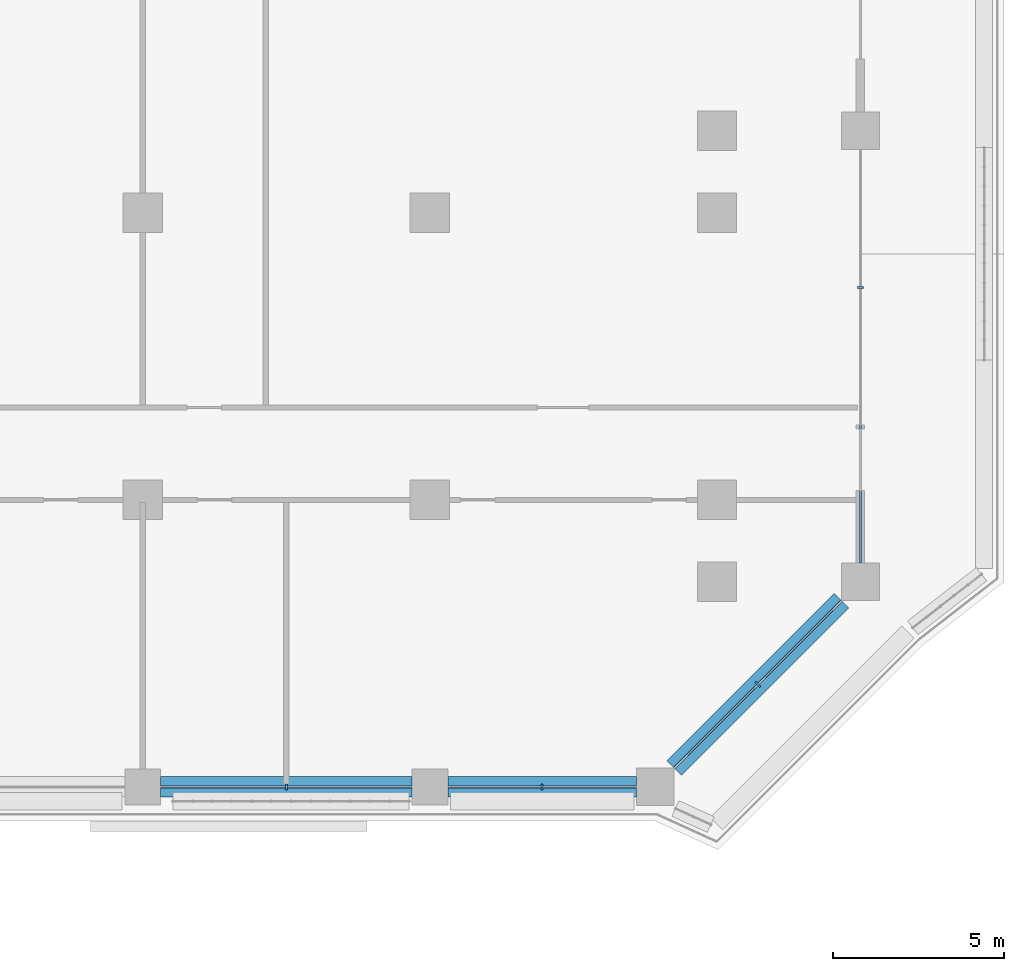
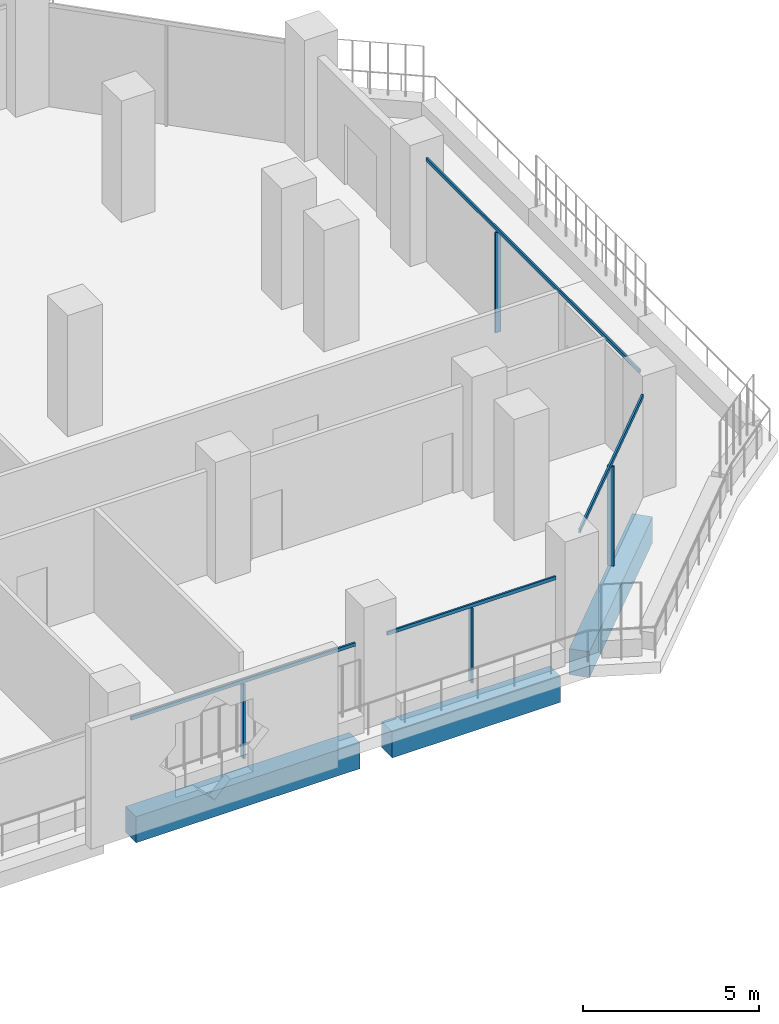
# One storey, part 7 of 29: 8 members, 3 beams, 3 elements without a shape of their own.
"""IFC4 building model written with IfcOpenShell, lengths in metres."""

from ifc_helpers import new_model, si_unit, direction, frame, origin, origin_2d, place, context, subcontext, project, spatial, rectangle, extrude, material, layer, layer_set, material_profile, profile_set, type_object, element, aggregate, save


model = new_model("IFC4")

# Units and contexts
model_context = context("Model", 3, precision=1e-05, world=origin(), true_north=direction((0.0, 1.0)))
body_context = subcontext(model_context, "Body", "Model", "MODEL_VIEW")
ifc_project = project(units=[si_unit("LENGTHUNIT", "METRE"), si_unit("AREAUNIT", "SQUARE_METRE"), si_unit("VOLUMEUNIT", "CUBIC_METRE"), si_unit("PLANEANGLEUNIT", "RADIAN"), si_unit("MASSUNIT", "GRAM", prefix="KILO")], contexts=[model_context])

# Site, building, storey
site_placement = place(None, origin())
site = spatial("IfcSite", under=ifc_project, at=site_placement, CompositionType="ELEMENT")
building_placement = place(site_placement, origin())
building = spatial("IfcBuilding", under=site, at=building_placement, Name="Kawkab Arch Medical Tower", CompositionType="ELEMENT")
storey_placement = place(building_placement, frame((0.0, 0.0, 107.199951171875)))
storey = spatial("IfcBuildingStorey", under=building, at=storey_placement, Name="L24", CompositionType="ELEMENT", Elevation=107.199951171875)

# Curtain wall, members
ifc_material_1 = material(Name="Bronze anodised aluminium curtain wall frame", Category="aluminium")
ifc_layer_1 = layer(ifc_material_1, 0.159912109375)
ifc_layer_set_1 = layer_set([ifc_layer_1], Name="Bronze anodised aluminium curtain wall frame")
curtain_wall_type_1 = type_object("IfcCurtainWallType", Name="CW1 ward curtain wall", PredefinedType="NOTDEFINED", material=ifc_layer_set_1)
placement = place(storey_placement, origin())
curtain_wall_1 = element("IfcCurtainWall", 1, at=placement, inside=storey, type_object=curtain_wall_type_1, Name="CW1 Ward curtain wall R07", PredefinedType="NOTDEFINED")
ifc_material_2 = material(Name="Bronze anodised aluminium curtain wall frame", Category="aluminium")
ifc_material_profile_1 = material_profile(ifc_material_2, rectangle(XDim=0.179931640625, YDim=0.06005859375, at=origin_2d()), Name="AL 60x180")
ifc_profile_set_1 = profile_set([ifc_material_profile_1], Name="Bronze anodised aluminium curtain wall frame")
member_type_1 = type_object("IfcMemberType", Name="CW1 mullion 60 x 180", PredefinedType="MULLION", material=ifc_profile_set_1)
member_1_placement = place(storey_placement, frame((63.0, -25.199951171875, 0.0), z_axis=(0.0, 0.0, 1.0), x_axis=(0.0, 1.0, 0.0)))
member_1 = element("IfcMember", 2, at=member_1_placement, type_object=member_type_1, Name="CW1 mullion 4.1", PredefinedType="MULLION", context=body_context, shape_type="SweptSolid", body=[
    extrude(rectangle(XDim=0.179931640625, YDim=0.06005859375, at=origin_2d()), origin(), (0.0, 0.0, 1.0), 2.580078125),
])
member_2_placement = place(storey_placement, frame((70.487548828125, -25.199951171875, 0.0), z_axis=(0.0, 0.0, 1.0), x_axis=(0.0, 1.0, 0.0)))
member_2 = element("IfcMember", 3, at=member_2_placement, type_object=member_type_1, Name="CW1 mullion 5.1", PredefinedType="MULLION", context=body_context, shape_type="SweptSolid", body=[
    extrude(rectangle(XDim=0.179931640625, YDim=0.06005859375, at=origin_2d()), origin(), (0.0, 0.0, 1.0), 2.580078125),
])

# Curtain wall, member
curtain_wall_2 = element("IfcCurtainWall", 4, at=placement, inside=storey, type_object=curtain_wall_type_1, Name="CW1 Ward curtain wall R09", PredefinedType="NOTDEFINED")
member_3_placement = place(storey_placement, frame((79.800048828125, -10.583251953125, 0.0), z_axis=(0.0, 0.0, 1.0), x_axis=(-1.0, 0.0, 0.0)))
member_3 = element("IfcMember", 5, at=member_3_placement, type_object=member_type_1, Name="CW1 mullion 1.2", PredefinedType="MULLION", context=body_context, shape_type="SweptSolid", body=[
    extrude(rectangle(XDim=0.179931640625, YDim=0.06005859375, at=origin_2d()), origin(), (0.0, 0.0, 1.0), 3.47998046875),
])

# Member
ifc_material_3 = material(Name="Bronze anodised aluminium curtain wall frame", Category="aluminium")
ifc_material_profile_2 = material_profile(ifc_material_3, rectangle(XDim=0.06005859375, YDim=0.1201171875, at=origin_2d()), Name="AL 60x120")
ifc_profile_set_2 = profile_set([ifc_material_profile_2], Name="Bronze anodised aluminium curtain wall frame")
member_type_2 = type_object("IfcMemberType", Name="CW1 transom 120 x 60", PredefinedType="USERDEFINED", material=ifc_profile_set_2)
member_4_placement = place(storey_placement, frame((59.324951171875, -25.199951171875, 2.64013671875), z_axis=(1.0, 0.0, 0.0), x_axis=(0.0, 1.0, 0.0)))
member_4 = element("IfcMember", 6, at=member_4_placement, type_object=member_type_2, Name="CW1 transom 4", ObjectType="TRANSOM", PredefinedType="USERDEFINED", context=body_context, shape_type="SweptSolid", body=[
    extrude(rectangle(XDim=0.06005859375, YDim=0.1201171875, at=origin_2d()), origin(), (0.0, 0.0, 1.0), 7.35009765625),
])

member_5_placement = place(storey_placement, frame((67.72509765625, -25.199951171875, 2.64013671875), z_axis=(1.0, 0.0, 0.0), x_axis=(0.0, 1.0, 0.0)))
member_5 = element("IfcMember", 7, at=member_5_placement, type_object=member_type_2, Name="CW1 transom 5", ObjectType="TRANSOM", PredefinedType="USERDEFINED", context=body_context, shape_type="SweptSolid", body=[
    extrude(rectangle(XDim=0.06005859375, YDim=0.1201171875, at=origin_2d()), origin(), (0.0, 0.0, 1.0), 5.52490234375),
])

aggregate(curtain_wall_1, [member_4, member_1, member_5, member_2])

member_6_placement = place(storey_placement, frame((79.800048828125, -18.64990234375, 3.5400390625), z_axis=(0.0, 1.0, 0.0), x_axis=(-1.0, 0.0, 0.0)))
member_6 = element("IfcMember", 8, at=member_6_placement, type_object=member_type_2, Name="CW1 transom 1", ObjectType="TRANSOM", PredefinedType="USERDEFINED", context=body_context, shape_type="SweptSolid", body=[
    extrude(rectangle(XDim=0.06005859375, YDim=0.1201171875, at=origin_2d()), origin(), (0.0, 0.0, 1.0), 12.099853515625),
])

aggregate(curtain_wall_2, [member_6, member_3])

# Curtain wall, members
ifc_material_4 = material(Name="Bronze anodised aluminium curtain wall frame", Category="aluminium")
ifc_layer_2 = layer(ifc_material_4, 0.159912109375)
ifc_layer_set_2 = layer_set([ifc_layer_2], Name="Bronze anodised aluminium curtain wall frame")
curtain_wall_type_2 = type_object("IfcCurtainWallType", Name="CW2 chamfer curtain wall", PredefinedType="NOTDEFINED", material=ifc_layer_set_2)
curtain_wall_3 = element("IfcCurtainWall", 9, at=placement, inside=storey, type_object=curtain_wall_type_2, Name="CW2 Chamfer curtain wall R08", PredefinedType="NOTDEFINED")
ifc_material_5 = material(Name="Bronze anodised aluminium curtain wall frame", Category="aluminium")
ifc_material_profile_3 = material_profile(ifc_material_5, rectangle(XDim=0.199951171875, YDim=0.06005859375, at=origin_2d()), Name="AL 60x200")
ifc_profile_set_3 = profile_set([ifc_material_profile_3], Name="Bronze anodised aluminium curtain wall frame")
member_type_3 = type_object("IfcMemberType", Name="CW2 mullion 60 x 200", PredefinedType="MULLION", material=ifc_profile_set_3)
member_7_placement = place(storey_placement, frame((76.800048828125, -22.199951171875, 0.0), z_axis=(0.0, 0.0, 1.0), x_axis=(-0.707106781187, 0.707106781187, 0.0)))
member_7 = element("IfcMember", 10, at=member_7_placement, type_object=member_type_3, Name="CW2 mullion 1.1", PredefinedType="MULLION", context=body_context, shape_type="SweptSolid", body=[
    extrude(rectangle(XDim=0.199951171875, YDim=0.06005859375, at=origin_2d()), origin(), (0.0, 0.0, 1.0), 3.4599609375),
])
ifc_material_6 = material(Name="Bronze anodised aluminium curtain wall frame", Category="aluminium")
ifc_material_profile_4 = material_profile(ifc_material_6, rectangle(XDim=0.06005859375, YDim=0.139892578125, at=origin_2d()), Name="AL 60x140")
ifc_profile_set_4 = profile_set([ifc_material_profile_4], Name="Bronze anodised aluminium curtain wall frame")
member_type_4 = type_object("IfcMemberType", Name="CW2 transom 140 x 60", PredefinedType="USERDEFINED", material=ifc_profile_set_4)
member_8_placement = place(storey_placement, frame((74.35009765625, -24.64990234375, 3.530029296875), z_axis=(0.707106781187, 0.707106781187, 0.0), x_axis=(-0.707106781187, 0.707106781187, 0.0)))
member_8 = element("IfcMember", 11, at=member_8_placement, type_object=member_type_4, Name="CW2 transom 1", ObjectType="TRANSOM", PredefinedType="USERDEFINED", context=body_context, shape_type="SweptSolid", body=[
    extrude(rectangle(XDim=0.06005859375, YDim=0.139892578125, at=origin_2d()), origin(), (0.0, 0.0, 1.0), 6.929443359375),
])
aggregate(curtain_wall_3, [member_8, member_7])

# Beams
ifc_material_7 = material(Name="Concrete C55/67", Category="concrete")
ifc_material_profile_5 = material_profile(ifc_material_7, rectangle(XDim=0.60009765625, YDim=0.89990234375, at=origin_2d()), Name="RC 600x900")
ifc_profile_set_5 = profile_set([ifc_material_profile_5], Name="Concrete C55/67")
beam_type = type_object("IfcBeamType", Name="RC 600x900 beam C55/67", PredefinedType="BEAM", material=ifc_profile_set_5)
beam_1_placement = place(storey_placement, frame((79.25, -19.75, -1.050048828125), z_axis=(-0.707106781187, -0.707106781187, 0.0), x_axis=(0.707106781187, -0.707106781187, 0.0)))
element("IfcBeam", 12, at=beam_1_placement, inside=storey, type_object=beam_type, Name="Overhang edge beam L24-01", PredefinedType="BEAM", context=body_context, shape_type="SweptSolid", body=[
    extrude(rectangle(XDim=0.60009765625, YDim=0.89990234375, at=origin_2d()), origin(), (0.0, 0.0, 1.0), 6.929443359375),
])
beam_2_placement = place(storey_placement, frame((73.25, -25.199951171875, -1.050048828125), z_axis=(-1.0, 0.0, 0.0), x_axis=(0.0, -1.0, 0.0)))
element("IfcBeam", 13, at=beam_2_placement, inside=storey, type_object=beam_type, Name="Overhang edge beam L24-02", PredefinedType="BEAM", context=body_context, shape_type="SweptSolid", body=[
    extrude(rectangle(XDim=0.60009765625, YDim=0.89990234375, at=origin_2d()), origin(), (0.0, 0.0, 1.0), 5.52490234375),
])
beam_3_placement = place(storey_placement, frame((66.675048828125, -25.199951171875, -1.050048828125), z_axis=(-1.0, 0.0, 0.0), x_axis=(0.0, -1.0, 0.0)))
element("IfcBeam", 14, at=beam_3_placement, inside=storey, type_object=beam_type, Name="Overhang edge beam L24-03", PredefinedType="BEAM", context=body_context, shape_type="SweptSolid", body=[
    extrude(rectangle(XDim=0.60009765625, YDim=0.89990234375, at=origin_2d()), origin(), (0.0, 0.0, 1.0), 7.35009765625),
])

save(model, "model.ifc")
